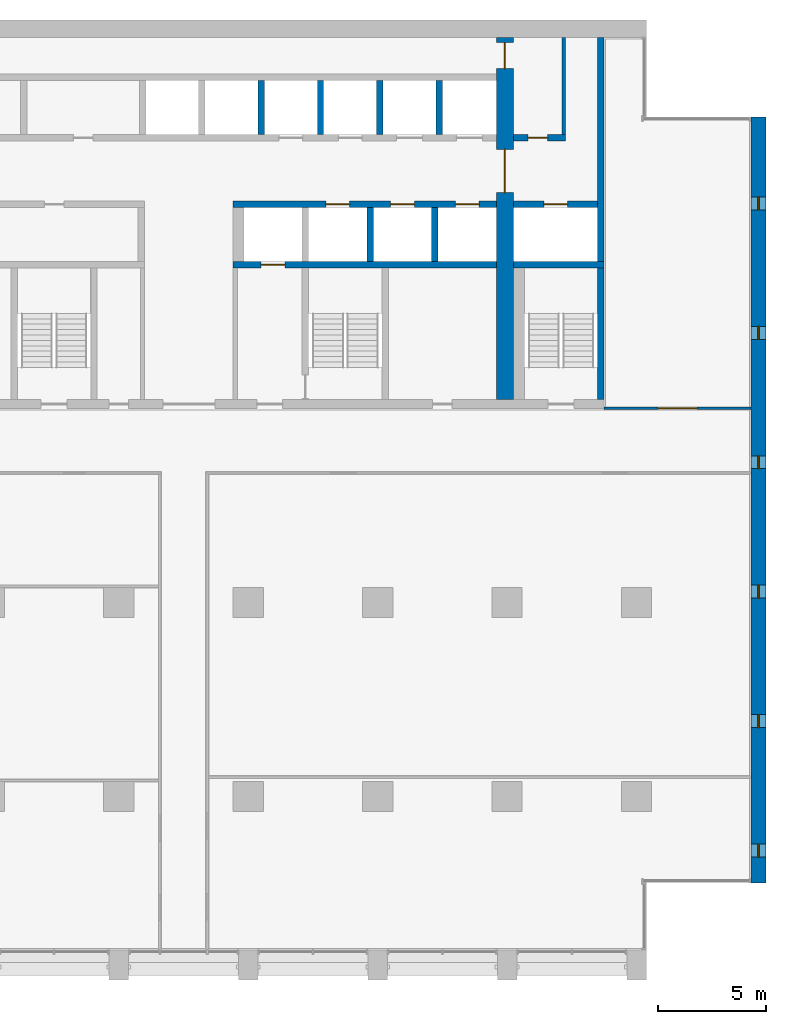
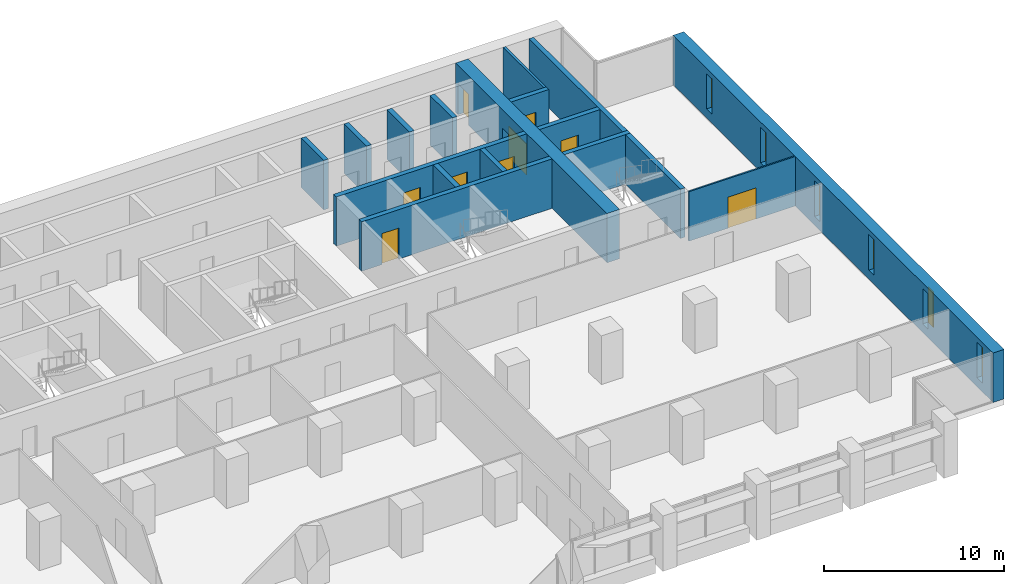
# One storey, part 11 of 15: 17 walls, 9 doors, 6 windows, 15 openings.
"""IFC4 building model written with IfcOpenShell, lengths in metres."""

from ifc_helpers import new_model, si_unit, direction, frame, frame_2d, origin, place, context, subcontext, project, spatial, rectangle, extrude, material, layer, layer_set, type_object, element, fill, save


model = new_model("IFC4")

# Units and contexts
model_context = context("Model", 3, precision=1e-05, world=origin(), true_north=direction((0.0, 1.0)))
body_context = subcontext(model_context, "Body", "Model", "MODEL_VIEW")
ifc_project = project(units=[si_unit("LENGTHUNIT", "METRE"), si_unit("AREAUNIT", "SQUARE_METRE"), si_unit("VOLUMEUNIT", "CUBIC_METRE"), si_unit("PLANEANGLEUNIT", "RADIAN"), si_unit("MASSUNIT", "GRAM", prefix="KILO")], contexts=[model_context])

# Site, building, storey
site_placement = place(None, origin())
site = spatial("IfcSite", under=ifc_project, at=site_placement, CompositionType="ELEMENT")
building_placement = place(site_placement, origin())
building = spatial("IfcBuilding", under=site, at=building_placement, Name="Calvaro Tower", CompositionType="ELEMENT")
storey_placement = place(building_placement, frame((0.0, 0.0, 110.0)))
storey = spatial("IfcBuildingStorey", under=building, at=storey_placement, Name="L27", CompositionType="ELEMENT", Elevation=110.0)

# Wall
ifc_material_1 = material(Name="Blockwork partition", Category="masonry")
ifc_layer_1 = layer(ifc_material_1, 0.14990234375)
ifc_layer_set_1 = layer_set([ifc_layer_1], Name="Blockwork partition")
wall_type_1 = type_object("IfcWallType", Name="Core partition 150 REI 120", PredefinedType="PARTITIONING", material=ifc_layer_set_1)
wall_1_placement = place(storey_placement, frame((62.625, 40.699951171875, 0.0), z_axis=(0.0, 0.0, 1.0), x_axis=(0.0, 1.0, 0.0)))
element("IfcWall", 1, at=wall_1_placement, inside=storey, type_object=wall_type_1, Name="Core partition", PredefinedType="PARTITIONING", context=body_context, shape_type="SweptSolid", body=[
    extrude(rectangle(XDim=4.5, YDim=0.14990234375, at=frame_2d((2.25, 0.0))), origin(), (0.0, 0.0, 1.0), 3.35009765625),
])

# Wall, opening, door
ifc_material_2 = material(Name="Blockwork partition", Category="masonry")
ifc_layer_2 = layer(ifc_material_2, 0.300048828125)
ifc_layer_set_2 = layer_set([ifc_layer_2], Name="Blockwork partition")
wall_type_2 = type_object("IfcWallType", Name="Core partition 300 REI 120", PredefinedType="PARTITIONING", material=ifc_layer_set_2)
wall_2_placement = place(storey_placement, frame((60.300048828125, 40.550048828125, 0.0), z_axis=(0.0, 0.0, 1.0), x_axis=(1.0, 0.0, 0.0)))
wall_2 = element("IfcWall", 2, at=wall_2_placement, inside=storey, type_object=wall_type_2, Name="Core partition", PredefinedType="PARTITIONING", context=body_context, shape_type="SweptSolid", body=[
    extrude(rectangle(XDim=2.39990234375, YDim=0.300048828125, at=frame_2d((1.199951171875, 0.0))), origin(), (0.0, 0.0, 1.0), 3.35009765625),
])
opening_1_placement = place(wall_2_placement, frame((0.675048828125, 0.0, 0.0)))
opening_1 = element("IfcOpeningElement", 3, at=opening_1_placement, cuts=wall_2, Name="Opening RD9C", PredefinedType="OPENING", context=body_context, shape_type="SweptSolid", body=[
    extrude(rectangle(XDim=0.89990234375, YDim=2.10009765625, at=frame_2d((0.449951171875, 1.050048828125))), frame((0.0, 0.159912109375, 0.0), z_axis=(0.0, -1.0, 0.0), x_axis=(1.0, 0.0, 0.0)), (0.0, 0.0, 1.0), 0.320068359375),
])
ifc_material_3 = material(Name="Steel door set", Category="steel")
door_type_1 = type_object("IfcDoorType", Name="Room door 900 FD30", OperationType="SINGLE_SWING_LEFT", PredefinedType="DOOR", material=ifc_material_3)
door_1_placement = place(opening_1_placement, origin())
door_1 = element("IfcDoor", 4, at=door_1_placement, inside=storey, type_object=door_type_1, Name="Room door", OperationType="SINGLE_SWING_LEFT", OverallHeight=2.10009765625, OverallWidth=0.89990234375, PredefinedType="DOOR", context=body_context, shape_type="SweptSolid", body=[
    extrude(rectangle(XDim=0.89990234375, YDim=2.10009765625, at=frame_2d((0.449951171875, 1.050048828125))), frame((0.0, 0.02490234375, 0.0), z_axis=(0.0, -1.0, 0.0), x_axis=(1.0, 0.0, 0.0)), (0.0, 0.0, 1.0), 0.050048828125),
])
fill(opening_1, door_1)

# Walls
ifc_material_4 = material(Name="Concrete C60/75", Category="concrete")
ifc_layer_3 = layer(ifc_material_4, 0.300048828125)
ifc_layer_set_3 = layer_set([ifc_layer_3], Name="Concrete C60/75")
wall_type_3 = type_object("IfcWallType", Name="Core wall C60/75 300", PredefinedType="SHEAR", material=ifc_layer_set_3)
wall_3_placement = place(storey_placement, frame((64.35009765625, 34.800048828125, 0.0), z_axis=(0.0, 0.0, 1.0), x_axis=(0.0, 1.0, 0.0)))
element("IfcWall", 5, at=wall_3_placement, inside=storey, type_object=wall_type_3, Name="Core wall, boundary", PredefinedType="SHEAR", context=body_context, shape_type="SweptSolid", body=[
    extrude(rectangle(XDim=10.39990234375, YDim=0.300048828125, at=frame_2d((5.199951171875, 0.0))), origin(), (0.0, 0.0, 1.0), 3.35009765625),
])
wall_4_placement = place(storey_placement, frame((64.35009765625, 28.39990234375, 0.0), z_axis=(0.0, 0.0, 1.0), x_axis=(0.0, 1.0, 0.0)))
element("IfcWall", 6, at=wall_4_placement, inside=storey, type_object=wall_type_3, Name="Core wall, stair enclosure", PredefinedType="SHEAR", context=body_context, shape_type="SweptSolid", body=[
    extrude(rectangle(XDim=6.10009765625, YDim=0.300048828125, at=frame_2d((3.050048828125, 0.0))), origin(), (0.0, 0.0, 1.0), 3.35009765625),
])

# Wall, opening, door
wall_5_placement = place(storey_placement, frame((47.300048828125, 34.64990234375, 0.0), z_axis=(0.0, 0.0, 1.0), x_axis=(1.0, 0.0, 0.0)))
wall_5 = element("IfcWall", 7, at=wall_5_placement, inside=storey, type_object=wall_type_3, Name="Core wall, lift shaft", PredefinedType="SHEAR", context=body_context, shape_type="SweptSolid", body=[
    extrude(rectangle(XDim=12.199951171875, YDim=0.300048828125, at=frame_2d((6.10009765625, 0.0))), origin(), (0.0, 0.0, 1.0), 3.35009765625),
])
opening_2_placement = place(wall_5_placement, frame((1.300048828125, 0.0, 0.0)))
opening_2 = element("IfcOpeningElement", 8, at=opening_2_placement, cuts=wall_5, Name="Opening FF2", PredefinedType="OPENING", context=body_context, shape_type="SweptSolid", body=[
    extrude(rectangle(XDim=1.10009765625, YDim=2.10009765625, at=frame_2d((0.550048828125, 1.050048828125))), frame((0.0, 0.159912109375, 0.0), z_axis=(0.0, -1.0, 0.0), x_axis=(1.0, 0.0, 0.0)), (0.0, 0.0, 1.0), 0.320068359375),
])
ifc_material_5 = material(Name="Stainless steel", Category="steel")
door_type_2 = type_object("IfcDoorType", Name="Landing door 1100 E 60", OperationType="SLIDING_TO_LEFT", PredefinedType="DOOR", material=ifc_material_5)
door_2_placement = place(opening_2_placement, origin())
door_2 = element("IfcDoor", 9, at=door_2_placement, inside=storey, type_object=door_type_2, Name="Landing door FF2", OperationType="SLIDING_TO_LEFT", OverallHeight=2.10009765625, OverallWidth=1.10009765625, PredefinedType="DOOR", context=body_context, shape_type="SweptSolid", body=[
    extrude(rectangle(XDim=1.10009765625, YDim=2.10009765625, at=frame_2d((0.550048828125, 1.050048828125))), frame((0.0, 0.02490234375, 0.0), z_axis=(0.0, -1.0, 0.0), x_axis=(1.0, 0.0, 0.0)), (0.0, 0.0, 1.0), 0.050048828125),
])
fill(opening_2, door_2)

# Wall
wall_6_placement = place(storey_placement, frame((60.300048828125, 34.64990234375, 0.0), z_axis=(0.0, 0.0, 1.0), x_axis=(1.0, 0.0, 0.0)))
element("IfcWall", 10, at=wall_6_placement, inside=storey, type_object=wall_type_3, Name="Core wall, lift shaft", PredefinedType="SHEAR", context=body_context, shape_type="SweptSolid", body=[
    extrude(rectangle(XDim=4.199951171875, YDim=0.300048828125, at=frame_2d((2.10009765625, 0.0))), origin(), (0.0, 0.0, 1.0), 3.35009765625),
])

# Wall, openings, doors
wall_7_placement = place(storey_placement, frame((47.300048828125, 37.449951171875, 0.0), z_axis=(0.0, 0.0, 1.0), x_axis=(1.0, 0.0, 0.0)))
wall_7 = element("IfcWall", 11, at=wall_7_placement, inside=storey, type_object=wall_type_3, Name="Core wall, lift shaft", PredefinedType="SHEAR", context=body_context, shape_type="SweptSolid", body=[
    extrude(rectangle(XDim=12.199951171875, YDim=0.300048828125, at=frame_2d((6.10009765625, 0.0))), origin(), (0.0, 0.0, 1.0), 3.35009765625),
])
opening_3_placement = place(wall_7_placement, frame((4.300048828125, 0.0, 0.0)))
opening_3 = element("IfcOpeningElement", 12, at=opening_3_placement, cuts=wall_7, Name="Opening MR1", PredefinedType="OPENING", context=body_context, shape_type="SweptSolid", body=[
    extrude(rectangle(XDim=1.10009765625, YDim=2.10009765625, at=frame_2d((0.550048828125, 1.050048828125))), frame((0.0, 0.159912109375, 0.0), z_axis=(0.0, -1.0, 0.0), x_axis=(1.0, 0.0, 0.0)), (0.0, 0.0, 1.0), 0.320068359375),
])
opening_4_placement = place(wall_7_placement, frame((7.300048828125, 0.0, 0.0)))
opening_4 = element("IfcOpeningElement", 13, at=opening_4_placement, cuts=wall_7, Name="Opening MR2", PredefinedType="OPENING", context=body_context, shape_type="SweptSolid", body=[
    extrude(rectangle(XDim=1.10009765625, YDim=2.10009765625, at=frame_2d((0.550048828125, 1.050048828125))), frame((0.0, 0.159912109375, 0.0), z_axis=(0.0, -1.0, 0.0), x_axis=(1.0, 0.0, 0.0)), (0.0, 0.0, 1.0), 0.320068359375),
])
opening_5_placement = place(wall_7_placement, frame((10.300048828125, 0.0, 0.0)))
opening_5 = element("IfcOpeningElement", 14, at=opening_5_placement, cuts=wall_7, Name="Opening MR3", PredefinedType="OPENING", context=body_context, shape_type="SweptSolid", body=[
    extrude(rectangle(XDim=1.10009765625, YDim=2.10009765625, at=frame_2d((0.550048828125, 1.050048828125))), frame((0.0, 0.159912109375, 0.0), z_axis=(0.0, -1.0, 0.0), x_axis=(1.0, 0.0, 0.0)), (0.0, 0.0, 1.0), 0.320068359375),
])
door_3_placement = place(opening_3_placement, origin())
door_3 = element("IfcDoor", 15, at=door_3_placement, inside=storey, type_object=door_type_2, Name="Landing door MR1", OperationType="SLIDING_TO_LEFT", OverallHeight=2.10009765625, OverallWidth=1.10009765625, PredefinedType="DOOR", context=body_context, shape_type="SweptSolid", body=[
    extrude(rectangle(XDim=1.10009765625, YDim=2.10009765625, at=frame_2d((0.550048828125, 1.050048828125))), frame((0.0, 0.02490234375, 0.0), z_axis=(0.0, -1.0, 0.0), x_axis=(1.0, 0.0, 0.0)), (0.0, 0.0, 1.0), 0.050048828125),
])
fill(opening_3, door_3)
door_4_placement = place(opening_4_placement, origin())
door_4 = element("IfcDoor", 16, at=door_4_placement, inside=storey, type_object=door_type_2, Name="Landing door MR2", OperationType="SLIDING_TO_LEFT", OverallHeight=2.10009765625, OverallWidth=1.10009765625, PredefinedType="DOOR", context=body_context, shape_type="SweptSolid", body=[
    extrude(rectangle(XDim=1.10009765625, YDim=2.10009765625, at=frame_2d((0.550048828125, 1.050048828125))), frame((0.0, 0.02490234375, 0.0), z_axis=(0.0, -1.0, 0.0), x_axis=(1.0, 0.0, 0.0)), (0.0, 0.0, 1.0), 0.050048828125),
])
fill(opening_4, door_4)
door_5_placement = place(opening_5_placement, origin())
door_5 = element("IfcDoor", 17, at=door_5_placement, inside=storey, type_object=door_type_2, Name="Landing door MR3", OperationType="SLIDING_TO_LEFT", OverallHeight=2.10009765625, OverallWidth=1.10009765625, PredefinedType="DOOR", context=body_context, shape_type="SweptSolid", body=[
    extrude(rectangle(XDim=1.10009765625, YDim=2.10009765625, at=frame_2d((0.550048828125, 1.050048828125))), frame((0.0, 0.02490234375, 0.0), z_axis=(0.0, -1.0, 0.0), x_axis=(1.0, 0.0, 0.0)), (0.0, 0.0, 1.0), 0.050048828125),
])
fill(opening_5, door_5)

# Wall, opening, door
wall_8_placement = place(storey_placement, frame((60.300048828125, 37.449951171875, 0.0), z_axis=(0.0, 0.0, 1.0), x_axis=(1.0, 0.0, 0.0)))
wall_8 = element("IfcWall", 18, at=wall_8_placement, inside=storey, type_object=wall_type_3, Name="Core wall, lift shaft", PredefinedType="SHEAR", context=body_context, shape_type="SweptSolid", body=[
    extrude(rectangle(XDim=3.89990234375, YDim=0.300048828125, at=frame_2d((1.949951171875, 0.0))), origin(), (0.0, 0.0, 1.0), 3.35009765625),
])
opening_6_placement = place(wall_8_placement, frame((1.39990234375, 0.0, 0.0)))
opening_6 = element("IfcOpeningElement", 19, at=opening_6_placement, cuts=wall_8, Name="Opening FF3", PredefinedType="OPENING", context=body_context, shape_type="SweptSolid", body=[
    extrude(rectangle(XDim=1.10009765625, YDim=2.10009765625, at=frame_2d((0.550048828125, 1.050048828125))), frame((0.0, 0.159912109375, 0.0), z_axis=(0.0, -1.0, 0.0), x_axis=(1.0, 0.0, 0.0)), (0.0, 0.0, 1.0), 0.320068359375),
])
door_6_placement = place(opening_6_placement, origin())
door_6 = element("IfcDoor", 20, at=door_6_placement, inside=storey, type_object=door_type_2, Name="Landing door FF3", OperationType="SLIDING_TO_LEFT", OverallHeight=2.10009765625, OverallWidth=1.10009765625, PredefinedType="DOOR", context=body_context, shape_type="SweptSolid", body=[
    extrude(rectangle(XDim=1.10009765625, YDim=2.10009765625, at=frame_2d((0.550048828125, 1.050048828125))), frame((0.0, 0.02490234375, 0.0), z_axis=(0.0, -1.0, 0.0), x_axis=(1.0, 0.0, 0.0)), (0.0, 0.0, 1.0), 0.050048828125),
])
fill(opening_6, door_6)

# Walls
for number, where, z_axis, x_axis, name in (
    (21, (53.64990234375, 34.800048828125, 0.0), (0.0, 0.0, 1.0), (0.0, 1.0, 0.0), "Core wall, lift shaft"),
    (22, (56.64990234375, 34.800048828125, 0.0), (0.0, 0.0, 1.0), (0.0, 1.0, 0.0), "Core wall, lift shaft"),
    (23, (48.60009765625, 40.699951171875, 0.0), (0.0, 0.0, 1.0), (0.0, 1.0, 0.0), "Core wall, lift shaft"),
    (24, (51.35009765625, 40.699951171875, 0.0), (0.0, 0.0, 1.0), (0.0, 1.0, 0.0), "Core wall, lift shaft"),
    (25, (54.10009765625, 40.699951171875, 0.0), (0.0, 0.0, 1.0), (0.0, 1.0, 0.0), "Core wall, lift shaft"),
    (26, (56.85009765625, 40.699951171875, 0.0), (0.0, 0.0, 1.0), (0.0, 1.0, 0.0), "Core wall, lift shaft"),
):
    element("IfcWall", number, at=place(storey_placement, frame(where, z_axis=z_axis, x_axis=x_axis)), inside=storey, type_object=wall_type_3, Name=name, PredefinedType="SHEAR", context=body_context, shape_type="SweptSolid", body=[
        extrude(rectangle(XDim=2.5, YDim=0.300048828125, at=frame_2d((1.25, 0.0))), origin(), (0.0, 0.0, 1.0), 3.35009765625),
    ])

# Wall, openings, doors
ifc_material_6 = material(Name="Concrete C60/75", Category="concrete")
ifc_layer_4 = layer(ifc_material_6, 0.800048828125)
ifc_layer_set_4 = layer_set([ifc_layer_4], Name="Concrete C60/75")
wall_type_4 = type_object("IfcWallType", Name="Core wall C60/75 800", PredefinedType="SHEAR", material=ifc_layer_set_4)
wall_9_placement = place(storey_placement, frame((59.89990234375, 28.39990234375, 0.0), z_axis=(0.0, 0.0, 1.0), x_axis=(0.0, 1.0, 0.0)))
wall_9 = element("IfcWall", 27, at=wall_9_placement, inside=storey, type_object=wall_type_4, Name="Core wall, cross shear wall", PredefinedType="SHEAR", context=body_context, shape_type="SweptSolid", body=[
    extrude(rectangle(XDim=16.800048828125, YDim=0.800048828125, at=frame_2d((8.39990234375, 0.0))), origin(), (0.0, 0.0, 1.0), 3.35009765625),
])
opening_7_placement = place(wall_9_placement, frame((9.60009765625, 0.0, 0.0)))
opening_7 = element("IfcOpeningElement", 28, at=opening_7_placement, cuts=wall_9, Name="Opening DD20D", PredefinedType="OPENING", context=body_context, shape_type="SweptSolid", body=[
    extrude(rectangle(XDim=2.0, YDim=2.10009765625, at=frame_2d((1.0, 1.050048828125))), frame((0.0, 0.409912109375, 0.0), z_axis=(0.0, -1.0, 0.0), x_axis=(1.0, 0.0, 0.0)), (0.0, 0.0, 1.0), 0.820068359375),
])
opening_8_placement = place(wall_9_placement, frame((15.35009765625, 0.0, 0.0)))
opening_8 = element("IfcOpeningElement", 29, at=opening_8_placement, cuts=wall_9, Name="Opening FD12C", PredefinedType="OPENING", context=body_context, shape_type="SweptSolid", body=[
    extrude(rectangle(XDim=1.199951171875, YDim=2.10009765625, at=frame_2d((0.60009765625, 1.050048828125))), frame((0.0, 0.409912109375, 0.0), z_axis=(0.0, -1.0, 0.0), x_axis=(1.0, 0.0, 0.0)), (0.0, 0.0, 1.0), 0.820068359375),
])
ifc_material_7 = material(Name="Steel door set", Category="steel")
door_type_3 = type_object("IfcDoorType", Name="Fire door 1200 FD30", OperationType="SINGLE_SWING_LEFT", PredefinedType="DOOR", material=ifc_material_7)
door_7_placement = place(opening_8_placement, origin())
door_7 = element("IfcDoor", 30, at=door_7_placement, inside=storey, type_object=door_type_3, Name="Fire door", OperationType="SINGLE_SWING_LEFT", OverallHeight=2.10009765625, OverallWidth=1.199951171875, PredefinedType="DOOR", context=body_context, shape_type="SweptSolid", body=[
    extrude(rectangle(XDim=1.199951171875, YDim=2.10009765625, at=frame_2d((0.60009765625, 1.050048828125))), frame((0.0, 0.02490234375, 0.0), z_axis=(0.0, -1.0, 0.0), x_axis=(1.0, 0.0, 0.0)), (0.0, 0.0, 1.0), 0.050048828125),
])
fill(opening_8, door_7)
ifc_material_8 = material(Name="Steel door set", Category="steel")
door_type_4 = type_object("IfcDoorType", Name="Lobby double door 2000 FD30S", OperationType="DOUBLE_DOOR_SINGLE_SWING", PredefinedType="DOOR", material=ifc_material_8)
door_8_placement = place(opening_7_placement, origin())
door_8 = element("IfcDoor", 31, at=door_8_placement, inside=storey, type_object=door_type_4, Name="Lobby double door", OperationType="DOUBLE_DOOR_SINGLE_SWING", OverallHeight=2.10009765625, OverallWidth=2.0, PredefinedType="DOOR", context=body_context, shape_type="SweptSolid", body=[
    extrude(rectangle(XDim=2.0, YDim=2.10009765625, at=frame_2d((1.0, 1.050048828125))), frame((0.0, 0.02490234375, 0.0), z_axis=(0.0, -1.0, 0.0), x_axis=(1.0, 0.0, 0.0)), (0.0, 0.0, 1.0), 0.050048828125),
])
fill(opening_7, door_8)

# Wall, openings, windows
ifc_material_9 = material(Name="Concrete C60/75", Category="concrete")
ifc_layer_5 = layer(ifc_material_9, 0.699951171875)
ifc_layer_set_5 = layer_set([ifc_layer_5], Name="Concrete C60/75")
wall_type_5 = type_object("IfcWallType", Name="End wall 700 C60/75", PredefinedType="SHEAR", material=ifc_layer_set_5)
wall_10_placement = place(storey_placement, frame((71.64990234375, 6.0, 0.0), z_axis=(0.0, 0.0, 1.0), x_axis=(0.0, 1.0, 0.0)))
wall_10 = element("IfcWall", 32, at=wall_10_placement, inside=storey, type_object=wall_type_5, Name="End shear wall", PredefinedType="SHEAR", context=body_context, shape_type="SweptSolid", body=[
    extrude(rectangle(XDim=35.5, YDim=0.699951171875, at=frame_2d((17.75, 0.0))), origin(), (0.0, 0.0, 1.0), 3.35009765625),
])
opening_9_placement = place(wall_10_placement, frame((1.199951171875, 0.0, 0.60009765625)))
opening_9 = element("IfcOpeningElement", 33, at=opening_9_placement, cuts=wall_10, Name="Opening WE01", PredefinedType="OPENING", context=body_context, shape_type="SweptSolid", body=[
    extrude(rectangle(XDim=0.60009765625, YDim=2.39990234375, at=frame_2d((0.300048828125, 1.199951171875))), frame((0.0, 0.35986328125, 0.0), z_axis=(0.0, -1.0, 0.0), x_axis=(1.0, 0.0, 0.0)), (0.0, 0.0, 1.0), 0.719970703125),
])
opening_10_placement = place(wall_10_placement, frame((7.199951171875, 0.0, 0.60009765625)))
opening_10 = element("IfcOpeningElement", 34, at=opening_10_placement, cuts=wall_10, Name="Opening WE02", PredefinedType="OPENING", context=body_context, shape_type="SweptSolid", body=[
    extrude(rectangle(XDim=0.60009765625, YDim=2.39990234375, at=frame_2d((0.300048828125, 1.199951171875))), frame((0.0, 0.35986328125, 0.0), z_axis=(0.0, -1.0, 0.0), x_axis=(1.0, 0.0, 0.0)), (0.0, 0.0, 1.0), 0.719970703125),
])
opening_11_placement = place(wall_10_placement, frame((13.199951171875, 0.0, 0.60009765625)))
opening_11 = element("IfcOpeningElement", 35, at=opening_11_placement, cuts=wall_10, Name="Opening WE03", PredefinedType="OPENING", context=body_context, shape_type="SweptSolid", body=[
    extrude(rectangle(XDim=0.60009765625, YDim=2.39990234375, at=frame_2d((0.300048828125, 1.199951171875))), frame((0.0, 0.35986328125, 0.0), z_axis=(0.0, -1.0, 0.0), x_axis=(1.0, 0.0, 0.0)), (0.0, 0.0, 1.0), 0.719970703125),
])
opening_12_placement = place(wall_10_placement, frame((19.199951171875, 0.0, 0.60009765625)))
opening_12 = element("IfcOpeningElement", 36, at=opening_12_placement, cuts=wall_10, Name="Opening WE04", PredefinedType="OPENING", context=body_context, shape_type="SweptSolid", body=[
    extrude(rectangle(XDim=0.60009765625, YDim=2.39990234375, at=frame_2d((0.300048828125, 1.199951171875))), frame((0.0, 0.35986328125, 0.0), z_axis=(0.0, -1.0, 0.0), x_axis=(1.0, 0.0, 0.0)), (0.0, 0.0, 1.0), 0.719970703125),
])
opening_13_placement = place(wall_10_placement, frame((25.199951171875, 0.0, 0.60009765625)))
opening_13 = element("IfcOpeningElement", 37, at=opening_13_placement, cuts=wall_10, Name="Opening WE05", PredefinedType="OPENING", context=body_context, shape_type="SweptSolid", body=[
    extrude(rectangle(XDim=0.60009765625, YDim=2.39990234375, at=frame_2d((0.300048828125, 1.199951171875))), frame((0.0, 0.35986328125, 0.0), z_axis=(0.0, -1.0, 0.0), x_axis=(1.0, 0.0, 0.0)), (0.0, 0.0, 1.0), 0.719970703125),
])
opening_14_placement = place(wall_10_placement, frame((31.199951171875, 0.0, 0.60009765625)))
opening_14 = element("IfcOpeningElement", 38, at=opening_14_placement, cuts=wall_10, Name="Opening WE06", PredefinedType="OPENING", context=body_context, shape_type="SweptSolid", body=[
    extrude(rectangle(XDim=0.60009765625, YDim=2.39990234375, at=frame_2d((0.300048828125, 1.199951171875))), frame((0.0, 0.35986328125, 0.0), z_axis=(0.0, -1.0, 0.0), x_axis=(1.0, 0.0, 0.0)), (0.0, 0.0, 1.0), 0.719970703125),
])
ifc_material_10 = material(Name="Glass", Category="glass")
window_type = type_object("IfcWindowType", Name="Slit window 600 x 2400", PartitioningType="SINGLE_PANEL", PredefinedType="WINDOW", material=ifc_material_10)
window_1_placement = place(opening_9_placement, origin())
window_1 = element("IfcWindow", 39, at=window_1_placement, inside=storey, type_object=window_type, Name="Window WE01", OverallHeight=2.39990234375, OverallWidth=0.60009765625, PartitioningType="SINGLE_PANEL", PredefinedType="WINDOW", context=body_context, shape_type="SweptSolid", body=[
    extrude(rectangle(XDim=0.60009765625, YDim=2.39990234375, at=frame_2d((0.300048828125, 1.199951171875))), frame((0.0, 0.030029296875, 0.0), z_axis=(0.0, -1.0, 0.0), x_axis=(1.0, 0.0, 0.0)), (0.0, 0.0, 1.0), 0.06005859375),
])
fill(opening_9, window_1)
window_2_placement = place(opening_10_placement, origin())
window_2 = element("IfcWindow", 40, at=window_2_placement, inside=storey, type_object=window_type, Name="Window WE02", OverallHeight=2.39990234375, OverallWidth=0.60009765625, PartitioningType="SINGLE_PANEL", PredefinedType="WINDOW", context=body_context, shape_type="SweptSolid", body=[
    extrude(rectangle(XDim=0.60009765625, YDim=2.39990234375, at=frame_2d((0.300048828125, 1.199951171875))), frame((0.0, 0.030029296875, 0.0), z_axis=(0.0, -1.0, 0.0), x_axis=(1.0, 0.0, 0.0)), (0.0, 0.0, 1.0), 0.06005859375),
])
fill(opening_10, window_2)
window_3_placement = place(opening_11_placement, origin())
window_3 = element("IfcWindow", 41, at=window_3_placement, inside=storey, type_object=window_type, Name="Window WE03", OverallHeight=2.39990234375, OverallWidth=0.60009765625, PartitioningType="SINGLE_PANEL", PredefinedType="WINDOW", context=body_context, shape_type="SweptSolid", body=[
    extrude(rectangle(XDim=0.60009765625, YDim=2.39990234375, at=frame_2d((0.300048828125, 1.199951171875))), frame((0.0, 0.030029296875, 0.0), z_axis=(0.0, -1.0, 0.0), x_axis=(1.0, 0.0, 0.0)), (0.0, 0.0, 1.0), 0.06005859375),
])
fill(opening_11, window_3)
window_4_placement = place(opening_12_placement, origin())
window_4 = element("IfcWindow", 42, at=window_4_placement, inside=storey, type_object=window_type, Name="Window WE04", OverallHeight=2.39990234375, OverallWidth=0.60009765625, PartitioningType="SINGLE_PANEL", PredefinedType="WINDOW", context=body_context, shape_type="SweptSolid", body=[
    extrude(rectangle(XDim=0.60009765625, YDim=2.39990234375, at=frame_2d((0.300048828125, 1.199951171875))), frame((0.0, 0.030029296875, 0.0), z_axis=(0.0, -1.0, 0.0), x_axis=(1.0, 0.0, 0.0)), (0.0, 0.0, 1.0), 0.06005859375),
])
fill(opening_12, window_4)
window_5_placement = place(opening_13_placement, origin())
window_5 = element("IfcWindow", 43, at=window_5_placement, inside=storey, type_object=window_type, Name="Window WE05", OverallHeight=2.39990234375, OverallWidth=0.60009765625, PartitioningType="SINGLE_PANEL", PredefinedType="WINDOW", context=body_context, shape_type="SweptSolid", body=[
    extrude(rectangle(XDim=0.60009765625, YDim=2.39990234375, at=frame_2d((0.300048828125, 1.199951171875))), frame((0.0, 0.030029296875, 0.0), z_axis=(0.0, -1.0, 0.0), x_axis=(1.0, 0.0, 0.0)), (0.0, 0.0, 1.0), 0.06005859375),
])
fill(opening_13, window_5)
window_6_placement = place(opening_14_placement, origin())
window_6 = element("IfcWindow", 44, at=window_6_placement, inside=storey, type_object=window_type, Name="Window WE06", OverallHeight=2.39990234375, OverallWidth=0.60009765625, PartitioningType="SINGLE_PANEL", PredefinedType="WINDOW", context=body_context, shape_type="SweptSolid", body=[
    extrude(rectangle(XDim=0.60009765625, YDim=2.39990234375, at=frame_2d((0.300048828125, 1.199951171875))), frame((0.0, 0.030029296875, 0.0), z_axis=(0.0, -1.0, 0.0), x_axis=(1.0, 0.0, 0.0)), (0.0, 0.0, 1.0), 0.06005859375),
])
fill(opening_14, window_6)

# Wall, opening, door
ifc_material_11 = material(Name="Plasterboard on steel studs", Category="steel")
ifc_layer_6 = layer(ifc_material_11, 0.10009765625)
ifc_layer_set_6 = layer_set([ifc_layer_6], Name="Plasterboard on steel studs")
wall_type_6 = type_object("IfcWallType", Name="Partition 100", PredefinedType="PARTITIONING", material=ifc_layer_set_6)
wall_11_placement = place(storey_placement, frame((64.5, 28.0, 0.0), z_axis=(0.0, 0.0, 1.0), x_axis=(1.0, 0.0, 0.0)))
wall_11 = element("IfcWall", 45, at=wall_11_placement, inside=storey, type_object=wall_type_6, Name="Partition T17.W012", PredefinedType="PARTITIONING", context=body_context, shape_type="SweptSolid", body=[
    extrude(rectangle(XDim=6.800048828125, YDim=0.10009765625, at=frame_2d((3.39990234375, 0.0))), origin(), (0.0, 0.0, 1.0), 3.35009765625),
])
opening_15_placement = place(wall_11_placement, frame((2.5, 0.0, 0.0)))
opening_15 = element("IfcOpeningElement", 46, at=opening_15_placement, cuts=wall_11, Name="Opening T17.016", PredefinedType="OPENING", context=body_context, shape_type="SweptSolid", body=[
    extrude(rectangle(XDim=1.800048828125, YDim=2.10009765625, at=frame_2d((0.89990234375, 1.050048828125))), frame((0.0, 0.06005859375, 0.0), z_axis=(0.0, -1.0, 0.0), x_axis=(1.0, 0.0, 0.0)), (0.0, 0.0, 1.0), 0.1201171875),
])
ifc_material_12 = material(Name="Timber", Category="wood")
door_type_5 = type_object("IfcDoorType", Name="Internal double door 1800 x 2100", OperationType="DOUBLE_DOOR_SINGLE_SWING", PredefinedType="DOOR", material=ifc_material_12)
door_9_placement = place(opening_15_placement, origin())
door_9 = element("IfcDoor", 47, at=door_9_placement, inside=storey, type_object=door_type_5, Name="Door T17.016", OperationType="DOUBLE_DOOR_SINGLE_SWING", OverallHeight=2.10009765625, OverallWidth=1.800048828125, PredefinedType="DOOR", context=body_context, shape_type="SweptSolid", body=[
    extrude(rectangle(XDim=1.800048828125, YDim=2.10009765625, at=frame_2d((0.89990234375, 1.050048828125))), frame((0.0, 0.02490234375, 0.0), z_axis=(0.0, -1.0, 0.0), x_axis=(1.0, 0.0, 0.0)), (0.0, 0.0, 1.0), 0.050048828125),
])
fill(opening_15, door_9)

save(model, "model.ifc")
